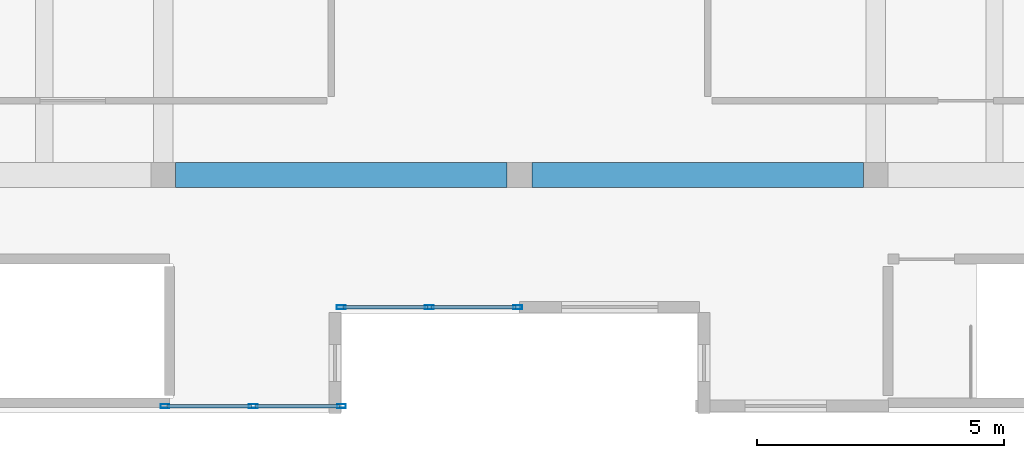
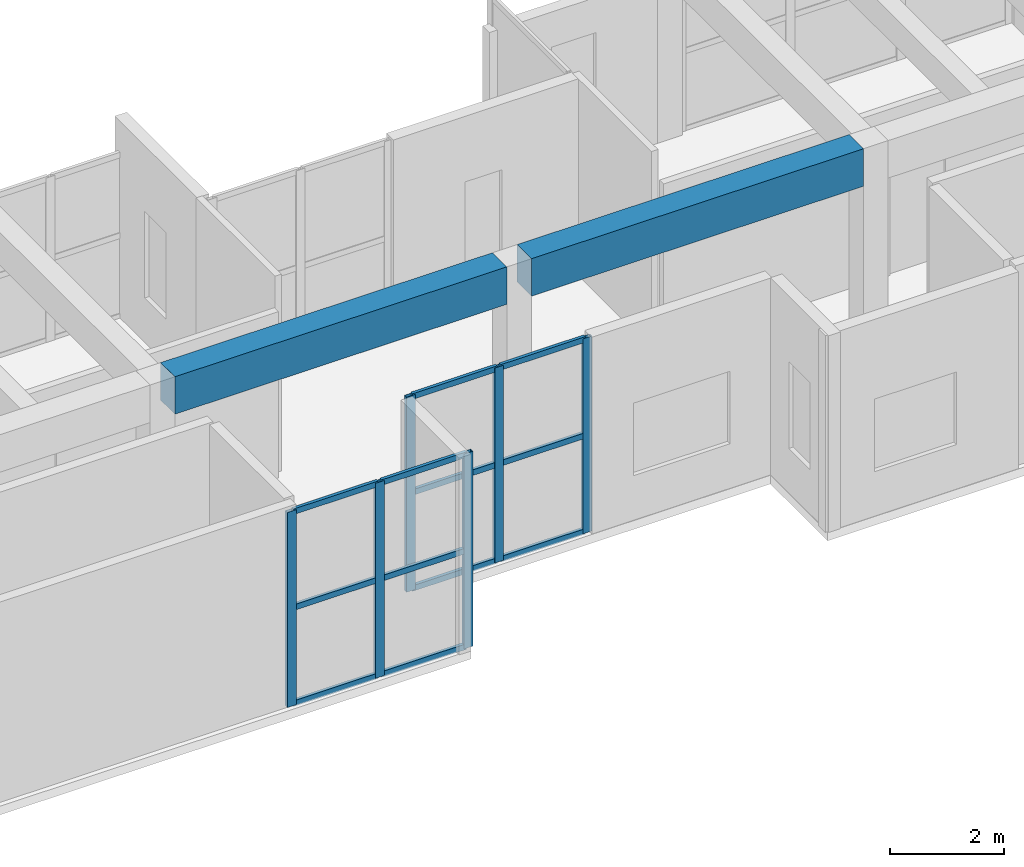
# One storey, part 30 of 153: 18 members, 2 beams, 2 elements without a shape of their own.
"""IFC4 building model written with IfcOpenShell, lengths in metres."""

from ifc_helpers import new_model, si_unit, direction, frame, origin, origin_2d, place, context, subcontext, project, spatial, rectangle, hollow_rectangle, extrude, material, material_profile, profile_set, type_object, element, aggregate, save


model = new_model("IFC4")

# Units and contexts
model_context = context("Model", 3, precision=1e-05, world=origin(), true_north=direction((0.0, 1.0)))
body_context = subcontext(model_context, "Body", "Model", "MODEL_VIEW")
ifc_project = project(units=[si_unit("LENGTHUNIT", "METRE"), si_unit("AREAUNIT", "SQUARE_METRE"), si_unit("VOLUMEUNIT", "CUBIC_METRE"), si_unit("PLANEANGLEUNIT", "RADIAN"), si_unit("MASSUNIT", "GRAM", prefix="KILO")], contexts=[model_context])

# Site, building, storey
site_placement = place(None, origin())
site = spatial("IfcSite", under=ifc_project, at=site_placement, CompositionType="ELEMENT")
building_placement = place(site_placement, origin())
building = spatial("IfcBuilding", under=site, at=building_placement, Name="Bramvelor Terrace Health Centre", CompositionType="ELEMENT")
storey_placement = place(building_placement, frame((0.0, 0.0, 4.800048828125)))
storey = spatial("IfcBuildingStorey", under=building, at=storey_placement, Name="L02", CompositionType="ELEMENT", Elevation=4.800048828125)

# Beams
ifc_material_1 = material(Name="Concrete C40/50", Category="concrete")
ifc_material_profile_1 = material_profile(ifc_material_1, rectangle(XDim=0.5, YDim=0.800048828125, at=origin_2d()), Name="RC 500x800")
ifc_profile_set_1 = profile_set([ifc_material_profile_1], Name="Concrete C40/50")
beam_type = type_object("IfcBeamType", Name="BM-RC-G800", PredefinedType="BEAM", material=ifc_profile_set_1)
for number, where, z_axis, x_axis, name in (
    (1, (65.050048828125, 7.199951171875, 3.849853515625), (1.0, 0.0, 0.0), (0.0, 1.0, 0.0), "L02 Floor Girder"),
    (2, (72.25, 7.199951171875, 3.849853515625), (1.0, 0.0, 0.0), (0.0, 1.0, 0.0), "L02 Floor Girder"),
):
    element("IfcBeam", number, at=place(storey_placement, frame(where, z_axis=z_axis, x_axis=x_axis)), inside=storey, type_object=beam_type, Name=name, PredefinedType="BEAM", context=body_context, shape_type="SweptSolid", body=[
        extrude(rectangle(XDim=0.5, YDim=0.800048828125, at=origin_2d()), origin(), (0.0, 0.0, 1.0), 6.699951171875),
    ])

# Curtain wall, members
ifc_material_2 = material(Name="Anodized aluminium and double low-E glass", Category="aluminium")
curtain_wall_type = type_object("IfcCurtainWallType", Name="CW-SYS-24", PredefinedType="NOTDEFINED", material=ifc_material_2)
curtain_wall_1_placement = place(storey_placement, origin())
curtain_wall_1 = element("IfcCurtainWall", 3, at=curtain_wall_1_placement, inside=storey, type_object=curtain_wall_type, Name="L02 Unitized Curtain Wall 146", PredefinedType="NOTDEFINED")
ifc_material_3 = material(Name="Anodized aluminium 6063-T6", Category="aluminium")
ifc_material_profile_2 = material_profile(ifc_material_3, hollow_rectangle(XDim=0.074951171875, YDim=0.179931640625, WallThickness=0.00341796875, at=origin_2d()), Name="ALU-MUL 75x180x3.5")
ifc_profile_set_2 = profile_set([ifc_material_profile_2], Name="Anodized aluminium 6063-T6")
member_type_1 = type_object("IfcMemberType", Name="CW-MUL-65x180", PredefinedType="MULLION", material=ifc_profile_set_2)
member_1_placement = place(storey_placement, frame((71.96240234375, 4.530029296875, 0.0), z_axis=(0.0, 0.0, 1.0), x_axis=(0.0, -1.0, 0.0)))
member_1 = element("IfcMember", 4, at=member_1_placement, type_object=member_type_1, Name="CW-24 mullion 1", PredefinedType="MULLION", context=body_context, shape_type="SweptSolid", body=[
    extrude(hollow_rectangle(XDim=0.074951171875, YDim=0.179931640625, WallThickness=0.00341796875, at=origin_2d()), origin(), (0.0, 0.0, 1.0), 4.159912109375),
])
member_2_placement = place(storey_placement, frame((70.179931640625, 4.530029296875, 0.0), z_axis=(0.0, 0.0, 1.0), x_axis=(0.0, -1.0, 0.0)))
member_2 = element("IfcMember", 5, at=member_2_placement, type_object=member_type_1, Name="CW-24 mullion 2", PredefinedType="MULLION", context=body_context, shape_type="SweptSolid", body=[
    extrude(hollow_rectangle(XDim=0.074951171875, YDim=0.179931640625, WallThickness=0.00341796875, at=origin_2d()), origin(), (0.0, 0.0, 1.0), 4.159912109375),
])
member_3_placement = place(storey_placement, frame((68.3974609375, 4.530029296875, 0.0), z_axis=(0.0, 0.0, 1.0), x_axis=(0.0, -1.0, 0.0)))
member_3 = element("IfcMember", 6, at=member_3_placement, type_object=member_type_1, Name="CW-24 mullion 3", PredefinedType="MULLION", context=body_context, shape_type="SweptSolid", body=[
    extrude(hollow_rectangle(XDim=0.074951171875, YDim=0.179931640625, WallThickness=0.00341796875, at=origin_2d()), origin(), (0.0, 0.0, 1.0), 4.159912109375),
])

curtain_wall_2_placement = place(storey_placement, origin())
curtain_wall_2 = element("IfcCurtainWall", 7, at=curtain_wall_2_placement, inside=storey, type_object=curtain_wall_type, Name="L02 Unitized Curtain Wall 147", PredefinedType="NOTDEFINED")
member_4_placement = place(storey_placement, frame((68.402587890625, 2.530029296875, 0.0), z_axis=(0.0, 0.0, 1.0), x_axis=(0.0, -1.0, 0.0)))
member_4 = element("IfcMember", 8, at=member_4_placement, type_object=member_type_1, Name="CW-24 mullion 1", PredefinedType="MULLION", context=body_context, shape_type="SweptSolid", body=[
    extrude(hollow_rectangle(XDim=0.074951171875, YDim=0.179931640625, WallThickness=0.00341796875, at=origin_2d()), origin(), (0.0, 0.0, 1.0), 4.159912109375),
])
member_5_placement = place(storey_placement, frame((66.6201171875, 2.530029296875, 0.0), z_axis=(0.0, 0.0, 1.0), x_axis=(0.0, -1.0, 0.0)))
member_5 = element("IfcMember", 9, at=member_5_placement, type_object=member_type_1, Name="CW-24 mullion 2", PredefinedType="MULLION", context=body_context, shape_type="SweptSolid", body=[
    extrude(hollow_rectangle(XDim=0.074951171875, YDim=0.179931640625, WallThickness=0.00341796875, at=origin_2d()), origin(), (0.0, 0.0, 1.0), 4.159912109375),
])
member_6_placement = place(storey_placement, frame((64.83740234375, 2.530029296875, 0.0), z_axis=(0.0, 0.0, 1.0), x_axis=(0.0, -1.0, 0.0)))
member_6 = element("IfcMember", 10, at=member_6_placement, type_object=member_type_1, Name="CW-24 mullion 3", PredefinedType="MULLION", context=body_context, shape_type="SweptSolid", body=[
    extrude(hollow_rectangle(XDim=0.074951171875, YDim=0.179931640625, WallThickness=0.00341796875, at=origin_2d()), origin(), (0.0, 0.0, 1.0), 4.159912109375),
])

# Member
ifc_material_4 = material(Name="Anodized aluminium 6063-T6", Category="aluminium")
ifc_material_profile_3 = material_profile(ifc_material_4, hollow_rectangle(XDim=0.06494140625, YDim=0.1201171875, WallThickness=0.0029296875, at=origin_2d()), Name="ALU-TRN 65x120x3.0")
ifc_profile_set_3 = profile_set([ifc_material_profile_3], Name="Anodized aluminium 6063-T6")
member_type_2 = type_object("IfcMemberType", Name="CW-TRN-65x150", PredefinedType="USERDEFINED", material=ifc_profile_set_3)
member_7_placement = place(storey_placement, frame((71.925048828125, 4.530029296875, 0.032470703125), z_axis=(-1.0, 0.0, 0.0), x_axis=(0.0, -1.0, 0.0)))
member_7 = element("IfcMember", 11, at=member_7_placement, type_object=member_type_2, Name="CW-24 transom 1.1", ObjectType="TRANSOM", PredefinedType="USERDEFINED", context=body_context, shape_type="SweptSolid", body=[
    extrude(hollow_rectangle(XDim=0.06494140625, YDim=0.1201171875, WallThickness=0.0029296875, at=origin_2d()), origin(), (0.0, 0.0, 1.0), 1.70751953125),
])

member_8_placement = place(storey_placement, frame((71.925048828125, 4.530029296875, 2.079833984375), z_axis=(-1.0, 0.0, 0.0), x_axis=(0.0, -1.0, 0.0)))
member_8 = element("IfcMember", 12, at=member_8_placement, type_object=member_type_2, Name="CW-24 transom 1.2", ObjectType="TRANSOM", PredefinedType="USERDEFINED", context=body_context, shape_type="SweptSolid", body=[
    extrude(hollow_rectangle(XDim=0.06494140625, YDim=0.1201171875, WallThickness=0.0029296875, at=origin_2d()), origin(), (0.0, 0.0, 1.0), 1.70751953125),
])

member_9_placement = place(storey_placement, frame((71.925048828125, 4.530029296875, 4.12744140625), z_axis=(-1.0, 0.0, 0.0), x_axis=(0.0, -1.0, 0.0)))
member_9 = element("IfcMember", 13, at=member_9_placement, type_object=member_type_2, Name="CW-24 transom 1.3", ObjectType="TRANSOM", PredefinedType="USERDEFINED", context=body_context, shape_type="SweptSolid", body=[
    extrude(hollow_rectangle(XDim=0.06494140625, YDim=0.1201171875, WallThickness=0.0029296875, at=origin_2d()), origin(), (0.0, 0.0, 1.0), 1.70751953125),
])

member_10_placement = place(storey_placement, frame((70.142578125, 4.530029296875, 0.032470703125), z_axis=(-1.0, 0.0, 0.0), x_axis=(0.0, -1.0, 0.0)))
member_10 = element("IfcMember", 14, at=member_10_placement, type_object=member_type_2, Name="CW-24 transom 2.1", ObjectType="TRANSOM", PredefinedType="USERDEFINED", context=body_context, shape_type="SweptSolid", body=[
    extrude(hollow_rectangle(XDim=0.06494140625, YDim=0.1201171875, WallThickness=0.0029296875, at=origin_2d()), origin(), (0.0, 0.0, 1.0), 1.70751953125),
])

member_11_placement = place(storey_placement, frame((70.142578125, 4.530029296875, 2.079833984375), z_axis=(-1.0, 0.0, 0.0), x_axis=(0.0, -1.0, 0.0)))
member_11 = element("IfcMember", 15, at=member_11_placement, type_object=member_type_2, Name="CW-24 transom 2.2", ObjectType="TRANSOM", PredefinedType="USERDEFINED", context=body_context, shape_type="SweptSolid", body=[
    extrude(hollow_rectangle(XDim=0.06494140625, YDim=0.1201171875, WallThickness=0.0029296875, at=origin_2d()), origin(), (0.0, 0.0, 1.0), 1.70751953125),
])

member_12_placement = place(storey_placement, frame((70.142578125, 4.530029296875, 4.12744140625), z_axis=(-1.0, 0.0, 0.0), x_axis=(0.0, -1.0, 0.0)))
member_12 = element("IfcMember", 16, at=member_12_placement, type_object=member_type_2, Name="CW-24 transom 2.3", ObjectType="TRANSOM", PredefinedType="USERDEFINED", context=body_context, shape_type="SweptSolid", body=[
    extrude(hollow_rectangle(XDim=0.06494140625, YDim=0.1201171875, WallThickness=0.0029296875, at=origin_2d()), origin(), (0.0, 0.0, 1.0), 1.70751953125),
])

aggregate(curtain_wall_1, [member_1, member_2, member_3, member_7, member_8, member_9, member_10, member_11, member_12])

member_13_placement = place(storey_placement, frame((68.364990234375, 2.530029296875, 0.032470703125), z_axis=(-1.0, 0.0, 0.0), x_axis=(0.0, -1.0, 0.0)))
member_13 = element("IfcMember", 17, at=member_13_placement, type_object=member_type_2, Name="CW-24 transom 1.1", ObjectType="TRANSOM", PredefinedType="USERDEFINED", context=body_context, shape_type="SweptSolid", body=[
    extrude(hollow_rectangle(XDim=0.06494140625, YDim=0.1201171875, WallThickness=0.0029296875, at=origin_2d()), origin(), (0.0, 0.0, 1.0), 1.70751953125),
])

member_14_placement = place(storey_placement, frame((68.364990234375, 2.530029296875, 2.079833984375), z_axis=(-1.0, 0.0, 0.0), x_axis=(0.0, -1.0, 0.0)))
member_14 = element("IfcMember", 18, at=member_14_placement, type_object=member_type_2, Name="CW-24 transom 1.2", ObjectType="TRANSOM", PredefinedType="USERDEFINED", context=body_context, shape_type="SweptSolid", body=[
    extrude(hollow_rectangle(XDim=0.06494140625, YDim=0.1201171875, WallThickness=0.0029296875, at=origin_2d()), origin(), (0.0, 0.0, 1.0), 1.70751953125),
])

member_15_placement = place(storey_placement, frame((68.364990234375, 2.530029296875, 4.12744140625), z_axis=(-1.0, 0.0, 0.0), x_axis=(0.0, -1.0, 0.0)))
member_15 = element("IfcMember", 19, at=member_15_placement, type_object=member_type_2, Name="CW-24 transom 1.3", ObjectType="TRANSOM", PredefinedType="USERDEFINED", context=body_context, shape_type="SweptSolid", body=[
    extrude(hollow_rectangle(XDim=0.06494140625, YDim=0.1201171875, WallThickness=0.0029296875, at=origin_2d()), origin(), (0.0, 0.0, 1.0), 1.70751953125),
])

member_16_placement = place(storey_placement, frame((66.58251953125, 2.530029296875, 0.032470703125), z_axis=(-1.0, 0.0, 0.0), x_axis=(0.0, -1.0, 0.0)))
member_16 = element("IfcMember", 20, at=member_16_placement, type_object=member_type_2, Name="CW-24 transom 2.1", ObjectType="TRANSOM", PredefinedType="USERDEFINED", context=body_context, shape_type="SweptSolid", body=[
    extrude(hollow_rectangle(XDim=0.06494140625, YDim=0.1201171875, WallThickness=0.0029296875, at=origin_2d()), origin(), (0.0, 0.0, 1.0), 1.70751953125),
])

member_17_placement = place(storey_placement, frame((66.58251953125, 2.530029296875, 2.079833984375), z_axis=(-1.0, 0.0, 0.0), x_axis=(0.0, -1.0, 0.0)))
member_17 = element("IfcMember", 21, at=member_17_placement, type_object=member_type_2, Name="CW-24 transom 2.2", ObjectType="TRANSOM", PredefinedType="USERDEFINED", context=body_context, shape_type="SweptSolid", body=[
    extrude(hollow_rectangle(XDim=0.06494140625, YDim=0.1201171875, WallThickness=0.0029296875, at=origin_2d()), origin(), (0.0, 0.0, 1.0), 1.70751953125),
])

member_18_placement = place(storey_placement, frame((66.58251953125, 2.530029296875, 4.12744140625), z_axis=(-1.0, 0.0, 0.0), x_axis=(0.0, -1.0, 0.0)))
member_18 = element("IfcMember", 22, at=member_18_placement, type_object=member_type_2, Name="CW-24 transom 2.3", ObjectType="TRANSOM", PredefinedType="USERDEFINED", context=body_context, shape_type="SweptSolid", body=[
    extrude(hollow_rectangle(XDim=0.06494140625, YDim=0.1201171875, WallThickness=0.0029296875, at=origin_2d()), origin(), (0.0, 0.0, 1.0), 1.70751953125),
])

aggregate(curtain_wall_2, [member_4, member_5, member_6, member_13, member_14, member_15, member_16, member_17, member_18])

save(model, "model.ifc")
